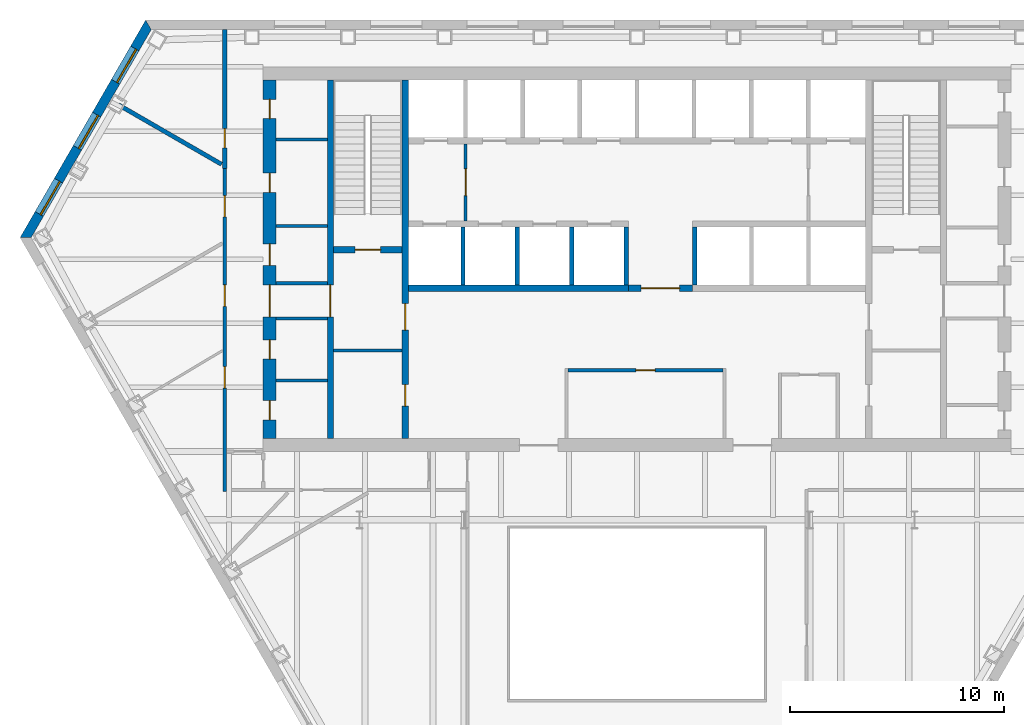
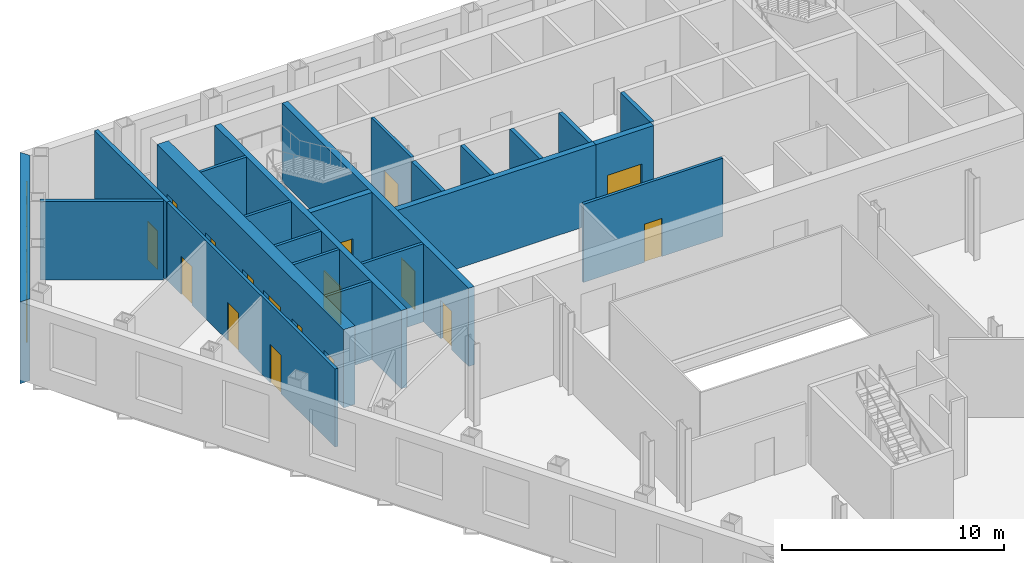
# One storey, part 6 of 11: 23 walls, 17 doors, 3 windows, 20 openings.
"""IFC4 building model written with IfcOpenShell, lengths in metres."""

from ifc_helpers import new_model, si_unit, direction, frame, frame_2d, origin, place, context, subcontext, project, spatial, polyline, rectangle, outline, extrude, material, layer, layer_set, type_object, element, fill, save


model = new_model("IFC4")

# Units and contexts
model_context = context("Model", 3, precision=1e-05, world=origin(), true_north=direction((0.0, 1.0)))
body_context = subcontext(model_context, "Body", "Model", "MODEL_VIEW")
ifc_project = project(units=[si_unit("LENGTHUNIT", "METRE"), si_unit("AREAUNIT", "SQUARE_METRE"), si_unit("VOLUMEUNIT", "CUBIC_METRE"), si_unit("PLANEANGLEUNIT", "RADIAN"), si_unit("MASSUNIT", "GRAM", prefix="KILO")], contexts=[model_context])

# Site, building, storey
site_placement = place(None, origin())
site = spatial("IfcSite", under=ifc_project, at=site_placement, CompositionType="ELEMENT")
building_placement = place(site_placement, origin())
building = spatial("IfcBuilding", under=site, at=building_placement, Name="Njiva Tower", CompositionType="ELEMENT")
storey_placement = place(building_placement, frame((0.0, 0.0, 33.3)))
storey = spatial("IfcBuildingStorey", under=building, at=storey_placement, Name="L06", CompositionType="ELEMENT", Elevation=33.3)

# Walls
ifc_material_1 = material(Name="Blockwork", Category="masonry")
ifc_layer_1 = layer(ifc_material_1, 0.15)
ifc_layer_set_1 = layer_set([ifc_layer_1], Name="Blockwork")
wall_type_1 = type_object("IfcWallType", Name="WT1 Compartment partition 150", PredefinedType="PARTITIONING", material=ifc_layer_set_1)
wall_1_placement = place(storey_placement, frame((-14.2, 4.725, 0.0), z_axis=(0.0, 0.0, 1.0), x_axis=(1.0, 0.0, 0.0)))
element("IfcWall", 1, at=wall_1_placement, inside=storey, type_object=wall_type_1, Name="Room wall A", PredefinedType="PARTITIONING", context=body_context, shape_type="SweptSolid", body=[
    extrude(rectangle(XDim=3.2, YDim=0.15, at=frame_2d((1.6, 0.0))), origin(), (0.0, 0.0, 1.0), 4.3),
])
for number, where, z_axis, x_axis, name in (
    (2, (-16.9, 3.3241, 0.0), (0.0, 0.0, 1.0), (1.0, 0.0, 0.0), "Partition strip W00"),
    (3, (-16.9, 10.5559, 0.0), (0.0, 0.0, 1.0), (1.0, 0.0, 0.0), "Partition strip W10"),
):
    element("IfcWall", number, at=place(storey_placement, frame(where, z_axis=z_axis, x_axis=x_axis)), inside=storey, type_object=wall_type_1, Name=name, PredefinedType="PARTITIONING", context=body_context, shape_type="SweptSolid", body=[
        extrude(rectangle(XDim=2.4, YDim=0.15, at=frame_2d((1.2, 0.0))), origin(), (0.0, 0.0, 1.0), 4.3),
    ])

# Wall, opening, door
wall_2_placement = place(storey_placement, frame((-3.225, 3.8, 0.0), z_axis=(0.0, 0.0, 1.0), x_axis=(1.0, 0.0, 0.0)))
wall_2 = element("IfcWall", 4, at=wall_2_placement, inside=storey, type_object=wall_type_1, Name="Information office wall north", PredefinedType="PARTITIONING", context=body_context, shape_type="SweptSolid", body=[
    extrude(rectangle(XDim=7.25, YDim=0.15, at=frame_2d((3.625, 0.0))), origin(), (0.0, 0.0, 1.0), 4.3),
])
opening_1_placement = place(wall_2_placement, frame((3.175, 0.0, 0.0)))
opening_1 = element("IfcOpeningElement", 5, at=opening_1_placement, cuts=wall_2, Name="Opening S02-D934", PredefinedType="OPENING", context=body_context, shape_type="SweptSolid", body=[
    extrude(rectangle(XDim=0.9, YDim=2.1, at=frame_2d((0.45, 1.05))), frame((0.0, 0.085, 0.0), z_axis=(0.0, -1.0, 0.0), x_axis=(1.0, 0.0, 0.0)), (0.0, 0.0, 1.0), 0.17),
])
ifc_material_2 = material(Name="Steel fire door, painted", Category="steel")
door_type_1 = type_object("IfcDoorType", Name="D6 Fire-rated door 900x2100", OperationType="SINGLE_SWING_LEFT", PredefinedType="DOOR", material=ifc_material_2)
door_1_placement = place(opening_1_placement, origin())
door_1 = element("IfcDoor", 6, at=door_1_placement, inside=storey, type_object=door_type_1, Name="Information office door", OperationType="SINGLE_SWING_LEFT", OverallHeight=2.1, OverallWidth=0.9, PredefinedType="DOOR", context=body_context, shape_type="SweptSolid", body=[
    extrude(rectangle(XDim=0.9, YDim=2.1, at=frame_2d((0.45, 1.05))), frame((0.0, 0.025, 0.0), z_axis=(0.0, -1.0, 0.0), x_axis=(1.0, 0.0, 0.0)), (0.0, 0.0, 1.0), 0.05),
])
fill(opening_1, door_1)

# Wall, openings, doors
ifc_material_3 = material(Name="Concrete C40/50", Category="concrete")
ifc_layer_2 = layer(ifc_material_3, 0.3)
ifc_layer_set_2 = layer_set([ifc_layer_2], Name="Concrete C40/50")
wall_type_2 = type_object("IfcWallType", Name="WT10 Stair enclosure wall 300", PredefinedType="SHEAR", material=ifc_layer_set_2)
wall_3_placement = place(storey_placement, frame((-10.85, 0.6, 0.0), z_axis=(0.0, 0.0, 1.0), x_axis=(0.0, 1.0, 0.0)))
wall_3 = element("IfcWall", 7, at=wall_3_placement, inside=storey, type_object=wall_type_2, Name="Stair wall west inner", PredefinedType="SHEAR", context=body_context, shape_type="SweptSolid", body=[
    extrude(rectangle(XDim=16.8, YDim=0.3, at=frame_2d((8.4, 0.0))), origin(), (0.0, 0.0, 1.0), 4.3),
])
opening_2_placement = place(wall_3_placement, frame((5.075, 0.0, 0.0)))
opening_2 = element("IfcOpeningElement", 8, at=opening_2_placement, cuts=wall_3, Name="Opening S02-D914", PredefinedType="OPENING", context=body_context, shape_type="SweptSolid", body=[
    extrude(rectangle(XDim=1.25, YDim=2.1, at=frame_2d((0.625, 1.05))), frame((0.0, 0.16, 0.0), z_axis=(0.0, -1.0, 0.0), x_axis=(1.0, 0.0, 0.0)), (0.0, 0.0, 1.0), 0.32),
])
opening_3_placement = place(wall_3_placement, frame((1.525, 0.0, 0.0)))
opening_3 = element("IfcOpeningElement", 9, at=opening_3_placement, cuts=wall_3, Name="Opening S02-D915", PredefinedType="OPENING", context=body_context, shape_type="SweptSolid", body=[
    extrude(rectangle(XDim=1.0, YDim=2.1, at=frame_2d((0.5, 1.05))), frame((0.0, 0.16, 0.0), z_axis=(0.0, -1.0, 0.0), x_axis=(1.0, 0.0, 0.0)), (0.0, 0.0, 1.0), 0.32),
])
ifc_material_4 = material(Name="Steel door, painted", Category="steel")
door_type_2 = type_object("IfcDoorType", Name="D5 Steel door 1000x2100", OperationType="SINGLE_SWING_LEFT", PredefinedType="DOOR", material=ifc_material_4)
door_2_placement = place(opening_3_placement, origin())
door_2 = element("IfcDoor", 10, at=door_2_placement, inside=storey, type_object=door_type_2, Name="Breakout room door", OperationType="SINGLE_SWING_RIGHT", OverallHeight=2.1, OverallWidth=1.0, PredefinedType="DOOR", context=body_context, shape_type="SweptSolid", body=[
    extrude(rectangle(XDim=1.0, YDim=2.1, at=frame_2d((0.5, 1.05))), frame((0.0, 0.025, 0.0), z_axis=(0.0, -1.0, 0.0), x_axis=(1.0, 0.0, 0.0)), (0.0, 0.0, 1.0), 0.05),
])
fill(opening_3, door_2)
ifc_material_5 = material(Name="Glazed steel fire door", Category="steel")
door_type_3 = type_object("IfcDoorType", Name="D8 Vestibule corridor door 1250x2100 glazed", OperationType="SINGLE_SWING_LEFT", PredefinedType="DOOR", material=ifc_material_5)
door_3_placement = place(opening_2_placement, origin())
door_3 = element("IfcDoor", 11, at=door_3_placement, inside=storey, type_object=door_type_3, Name="Stair vestibule corridor door", OperationType="SINGLE_SWING_LEFT", OverallHeight=2.1, OverallWidth=1.25, PredefinedType="DOOR", context=body_context, shape_type="SweptSolid", body=[
    extrude(rectangle(XDim=1.25, YDim=2.1, at=frame_2d((0.625, 1.05))), frame((0.0, 0.025, 0.0), z_axis=(0.0, -1.0, 0.0), x_axis=(1.0, 0.0, 0.0)), (0.0, 0.0, 1.0), 0.05),
])
fill(opening_2, door_3)

# Wall, opening, door
wall_4_placement = place(storey_placement, frame((-14.35, 0.6, 0.0), z_axis=(0.0, 0.0, 1.0), x_axis=(0.0, 1.0, 0.0)))
wall_4 = element("IfcWall", 12, at=wall_4_placement, inside=storey, type_object=wall_type_2, Name="Stair wall west outer", PredefinedType="SHEAR", context=body_context, shape_type="SweptSolid", body=[
    extrude(rectangle(XDim=16.8, YDim=0.3, at=frame_2d((8.4, 0.0))), origin(), (0.0, 0.0, 1.0), 4.3),
])
opening_4_placement = place(wall_4_placement, frame((5.7, 0.0, 0.0)))
opening_4 = element("IfcOpeningElement", 13, at=opening_4_placement, cuts=wall_4, Name="Opening S02-D920", PredefinedType="OPENING", context=body_context, shape_type="SweptSolid", body=[
    extrude(rectangle(XDim=1.5, YDim=2.1, at=frame_2d((0.75, 1.05))), frame((0.0, 0.16, 0.0), z_axis=(0.0, -1.0, 0.0), x_axis=(1.0, 0.0, 0.0)), (0.0, 0.0, 1.0), 0.32),
])
door_type_4 = type_object("IfcDoorType", Name="D10 Exit door double 1500x2100 glazed", OperationType="DOUBLE_DOOR_SINGLE_SWING", PredefinedType="DOOR", material=ifc_material_5)
door_4_placement = place(opening_4_placement, origin())
door_4 = element("IfcDoor", 14, at=door_4_placement, inside=storey, type_object=door_type_4, Name="Stair A passage door", OperationType="DOUBLE_DOOR_SINGLE_SWING", OverallHeight=2.1, OverallWidth=1.5, PredefinedType="DOOR", context=body_context, shape_type="SweptSolid", body=[
    extrude(rectangle(XDim=1.5, YDim=2.1, at=frame_2d((0.75, 1.05))), frame((0.0, 0.025, 0.0), z_axis=(0.0, -1.0, 0.0), x_axis=(1.0, 0.0, 0.0)), (0.0, 0.0, 1.0), 0.05),
])
fill(opening_4, door_4)

wall_5_placement = place(storey_placement, frame((-14.2, 9.45, 0.0), z_axis=(0.0, 0.0, 1.0), x_axis=(1.0, 0.0, 0.0)))
wall_5 = element("IfcWall", 15, at=wall_5_placement, inside=storey, type_object=wall_type_2, Name="Stair A south wall", PredefinedType="SHEAR", context=body_context, shape_type="SweptSolid", body=[
    extrude(rectangle(XDim=3.2, YDim=0.3, at=frame_2d((1.6, 0.0))), origin(), (0.0, 0.0, 1.0), 4.3),
])
opening_5_placement = place(wall_5_placement, frame((1.0, 0.0, 0.0)))
opening_5 = element("IfcOpeningElement", 16, at=opening_5_placement, cuts=wall_5, Name="Opening S02-D913", PredefinedType="OPENING", context=body_context, shape_type="SweptSolid", body=[
    extrude(rectangle(XDim=1.2, YDim=2.1, at=frame_2d((0.6, 1.05))), frame((0.0, 0.16, 0.0), z_axis=(0.0, -1.0, 0.0), x_axis=(1.0, 0.0, 0.0)), (0.0, 0.0, 1.0), 0.32),
])
door_type_5 = type_object("IfcDoorType", Name="D7 Stair vestibule door 1200x2100 glazed", OperationType="SINGLE_SWING_LEFT", PredefinedType="DOOR", material=ifc_material_5)
door_5_placement = place(opening_5_placement, origin())
door_5 = element("IfcDoor", 17, at=door_5_placement, inside=storey, type_object=door_type_5, Name="Stair A door", OperationType="SINGLE_SWING_LEFT", OverallHeight=2.1, OverallWidth=1.2, PredefinedType="DOOR", context=body_context, shape_type="SweptSolid", body=[
    extrude(rectangle(XDim=1.2, YDim=2.1, at=frame_2d((0.6, 1.05))), frame((0.0, 0.025, 0.0), z_axis=(0.0, -1.0, 0.0), x_axis=(1.0, 0.0, 0.0)), (0.0, 0.0, 1.0), 0.05),
])
fill(opening_5, door_5)

# Wall, openings, doors
ifc_material_6 = material(Name="Concrete C60/75", Category="concrete")
ifc_layer_3 = layer(ifc_material_6, 0.6)
ifc_layer_set_3 = layer_set([ifc_layer_3], Name="Concrete C60/75")
wall_type_3 = type_object("IfcWallType", Name="WT15 Core wall 600", PredefinedType="SHEAR", material=ifc_layer_set_3)
wall_6_placement = place(storey_placement, frame((-17.2, 0.6, 0.0), z_axis=(0.0, 0.0, 1.0), x_axis=(0.0, 1.0, 0.0)))
wall_6 = element("IfcWall", 18, at=wall_6_placement, inside=storey, type_object=wall_type_3, Name="Core wall west", PredefinedType="SHEAR", context=body_context, shape_type="SweptSolid", body=[
    extrude(rectangle(XDim=16.8, YDim=0.6, at=frame_2d((8.4, 0.0))), origin(), (0.0, 0.0, 1.0), 4.3),
])
opening_6_placement = place(wall_6_placement, frame((5.7, 0.0, 0.0)))
opening_6 = element("IfcOpeningElement", 19, at=opening_6_placement, cuts=wall_6, Name="Opening S02-D921", PredefinedType="OPENING", context=body_context, shape_type="SweptSolid", body=[
    extrude(rectangle(XDim=1.5, YDim=2.1, at=frame_2d((0.75, 1.05))), frame((0.0, 0.31, 0.0), z_axis=(0.0, -1.0, 0.0), x_axis=(1.0, 0.0, 0.0)), (0.0, 0.0, 1.0), 0.62),
])
opening_7_placement = place(wall_6_placement, frame((0.8745, 0.0, 0.0)))
opening_7 = element("IfcOpeningElement", 20, at=opening_7_placement, cuts=wall_6, Name="Opening S02-D922", PredefinedType="OPENING", context=body_context, shape_type="SweptSolid", body=[
    extrude(rectangle(XDim=0.9, YDim=2.1, at=frame_2d((0.45, 1.05))), frame((0.0, 0.31, 0.0), z_axis=(0.0, -1.0, 0.0), x_axis=(1.0, 0.0, 0.0)), (0.0, 0.0, 1.0), 0.62),
])
opening_8_placement = place(wall_6_placement, frame((3.7245, 0.0, 0.0)))
opening_8 = element("IfcOpeningElement", 21, at=opening_8_placement, cuts=wall_6, Name="Opening S02-D923", PredefinedType="OPENING", context=body_context, shape_type="SweptSolid", body=[
    extrude(rectangle(XDim=0.9, YDim=2.1, at=frame_2d((0.45, 1.05))), frame((0.0, 0.31, 0.0), z_axis=(0.0, -1.0, 0.0), x_axis=(1.0, 0.0, 0.0)), (0.0, 0.0, 1.0), 0.62),
])
opening_9_placement = place(wall_6_placement, frame((8.1154, 0.0, 0.0)))
opening_9 = element("IfcOpeningElement", 22, at=opening_9_placement, cuts=wall_6, Name="Opening S02-D924", PredefinedType="OPENING", context=body_context, shape_type="SweptSolid", body=[
    extrude(rectangle(XDim=1.0, YDim=2.1, at=frame_2d((0.5, 1.05))), frame((0.0, 0.31, 0.0), z_axis=(0.0, -1.0, 0.0), x_axis=(1.0, 0.0, 0.0)), (0.0, 0.0, 1.0), 0.62),
])
opening_10_placement = place(wall_6_placement, frame((11.5277, 0.0, 0.0)))
opening_10 = element("IfcOpeningElement", 23, at=opening_10_placement, cuts=wall_6, Name="Opening S02-D925", PredefinedType="OPENING", context=body_context, shape_type="SweptSolid", body=[
    extrude(rectangle(XDim=0.9, YDim=2.1, at=frame_2d((0.45, 1.05))), frame((0.0, 0.31, 0.0), z_axis=(0.0, -1.0, 0.0), x_axis=(1.0, 0.0, 0.0)), (0.0, 0.0, 1.0), 0.62),
])
opening_11_placement = place(wall_6_placement, frame((14.9872, 0.0, 0.0)))
opening_11 = element("IfcOpeningElement", 24, at=opening_11_placement, cuts=wall_6, Name="Opening S02-D926", PredefinedType="OPENING", context=body_context, shape_type="SweptSolid", body=[
    extrude(rectangle(XDim=0.9, YDim=2.1, at=frame_2d((0.45, 1.05))), frame((0.0, 0.31, 0.0), z_axis=(0.0, -1.0, 0.0), x_axis=(1.0, 0.0, 0.0)), (0.0, 0.0, 1.0), 0.62),
])
door_6_placement = place(opening_6_placement, origin())
door_6 = element("IfcDoor", 25, at=door_6_placement, inside=storey, type_object=door_type_4, Name="Stair A corridor door", OperationType="DOUBLE_DOOR_SINGLE_SWING", OverallHeight=2.1, OverallWidth=1.5, PredefinedType="DOOR", context=body_context, shape_type="SweptSolid", body=[
    extrude(rectangle(XDim=1.5, YDim=2.1, at=frame_2d((0.75, 1.05))), frame((0.0, 0.025, 0.0), z_axis=(0.0, -1.0, 0.0), x_axis=(1.0, 0.0, 0.0)), (0.0, 0.0, 1.0), 0.05),
])
fill(opening_6, door_6)
door_type_6 = type_object("IfcDoorType", Name="D4 Riser door 900x2100", OperationType="SINGLE_SWING_LEFT", PredefinedType="DOOR", material=ifc_material_4)
door_7_placement = place(opening_11_placement, origin())
door_7 = element("IfcDoor", 26, at=door_7_placement, inside=storey, type_object=door_type_6, Name="Riser door", OperationType="SINGLE_SWING_LEFT", OverallHeight=2.1, OverallWidth=0.9, PredefinedType="DOOR", context=body_context, shape_type="SweptSolid", body=[
    extrude(rectangle(XDim=0.9, YDim=2.1, at=frame_2d((0.45, 1.05))), frame((0.0, 0.025, 0.0), z_axis=(0.0, -1.0, 0.0), x_axis=(1.0, 0.0, 0.0)), (0.0, 0.0, 1.0), 0.05),
])
fill(opening_11, door_7)
door_8_placement = place(opening_9_placement, origin())
door_8 = element("IfcDoor", 27, at=door_8_placement, inside=storey, type_object=door_type_2, Name="Telecoms room door", OperationType="SINGLE_SWING_RIGHT", OverallHeight=2.1, OverallWidth=1.0, PredefinedType="DOOR", context=body_context, shape_type="SweptSolid", body=[
    extrude(rectangle(XDim=1.0, YDim=2.1, at=frame_2d((0.5, 1.05))), frame((0.0, 0.025, 0.0), z_axis=(0.0, -1.0, 0.0), x_axis=(1.0, 0.0, 0.0)), (0.0, 0.0, 1.0), 0.05),
])
fill(opening_9, door_8)
door_9_placement = place(opening_7_placement, origin())
door_9 = element("IfcDoor", 28, at=door_9_placement, inside=storey, type_object=door_type_1, Name="Meeting room door", OperationType="SINGLE_SWING_LEFT", OverallHeight=2.1, OverallWidth=0.9, PredefinedType="DOOR", context=body_context, shape_type="SweptSolid", body=[
    extrude(rectangle(XDim=0.9, YDim=2.1, at=frame_2d((0.45, 1.05))), frame((0.0, 0.025, 0.0), z_axis=(0.0, -1.0, 0.0), x_axis=(1.0, 0.0, 0.0)), (0.0, 0.0, 1.0), 0.05),
])
fill(opening_7, door_9)
door_10_placement = place(opening_8_placement, origin())
door_10 = element("IfcDoor", 29, at=door_10_placement, inside=storey, type_object=door_type_1, Name="Breakout room door", OperationType="SINGLE_SWING_LEFT", OverallHeight=2.1, OverallWidth=0.9, PredefinedType="DOOR", context=body_context, shape_type="SweptSolid", body=[
    extrude(rectangle(XDim=0.9, YDim=2.1, at=frame_2d((0.45, 1.05))), frame((0.0, 0.025, 0.0), z_axis=(0.0, -1.0, 0.0), x_axis=(1.0, 0.0, 0.0)), (0.0, 0.0, 1.0), 0.05),
])
fill(opening_8, door_10)
door_11_placement = place(opening_10_placement, origin())
door_11 = element("IfcDoor", 30, at=door_11_placement, inside=storey, type_object=door_type_1, Name="Quiet room door", OperationType="SINGLE_SWING_RIGHT", OverallHeight=2.1, OverallWidth=0.9, PredefinedType="DOOR", context=body_context, shape_type="SweptSolid", body=[
    extrude(rectangle(XDim=0.9, YDim=2.1, at=frame_2d((0.45, 1.05))), frame((0.0, 0.025, 0.0), z_axis=(0.0, -1.0, 0.0), x_axis=(1.0, 0.0, 0.0)), (0.0, 0.0, 1.0), 0.05),
])
fill(opening_10, door_11)

# Wall, opening, door
ifc_layer_4 = layer(ifc_material_1, 0.15)
ifc_layer_set_4 = layer_set([ifc_layer_4], Name="Blockwork")
wall_type_4 = type_object("IfcWallType", Name="WT2 Lobby partition 150", PredefinedType="PARTITIONING", material=ifc_layer_set_4)
wall_7_placement = place(storey_placement, frame((-8.025, 10.8, 0.0), z_axis=(0.0, 0.0, 1.0), x_axis=(0.0, 1.0, 0.0)))
wall_7 = element("IfcWall", 31, at=wall_7_placement, inside=storey, type_object=wall_type_4, Name="Firefighting lobby wall A", PredefinedType="PARTITIONING", context=body_context, shape_type="SweptSolid", body=[
    extrude(rectangle(XDim=3.6, YDim=0.15, at=frame_2d((1.8, 0.0))), origin(), (0.0, 0.0, 1.0), 4.3),
])
opening_12_placement = place(wall_7_placement, frame((1.175, 0.0, 0.0)))
opening_12 = element("IfcOpeningElement", 32, at=opening_12_placement, cuts=wall_7, Name="Opening S02-D912", PredefinedType="OPENING", context=body_context, shape_type="SweptSolid", body=[
    extrude(rectangle(XDim=1.25, YDim=2.1, at=frame_2d((0.625, 1.05))), frame((0.0, 0.085, 0.0), z_axis=(0.0, -1.0, 0.0), x_axis=(1.0, 0.0, 0.0)), (0.0, 0.0, 1.0), 0.17),
])
door_12_placement = place(opening_12_placement, origin())
door_12 = element("IfcDoor", 33, at=door_12_placement, inside=storey, type_object=door_type_3, Name="Stair vestibule corridor door", OperationType="SINGLE_SWING_RIGHT", OverallHeight=2.1, OverallWidth=1.25, PredefinedType="DOOR", context=body_context, shape_type="SweptSolid", body=[
    extrude(rectangle(XDim=1.25, YDim=2.1, at=frame_2d((0.625, 1.05))), frame((0.0, 0.025, 0.0), z_axis=(0.0, -1.0, 0.0), x_axis=(1.0, 0.0, 0.0)), (0.0, 0.0, 1.0), 0.05),
])
fill(opening_12, door_12)

# Wall, openings, doors
ifc_material_7 = material(Name="Gypsum board on steel studs", Category="gypsum")
ifc_layer_5 = layer(ifc_material_7, 0.15)
ifc_layer_set_5 = layer_set([ifc_layer_5], Name="Gypsum board on steel studs")
wall_type_5 = type_object("IfcWallType", Name="WT21 Compartment wall 150", PredefinedType="PARTITIONING", material=ifc_layer_set_5)
wall_8_placement = place(storey_placement, frame((-19.3, -1.875, 0.0), z_axis=(0.0, 0.0, 1.0), x_axis=(0.0, 1.0, 0.0)))
wall_8 = element("IfcWall", 34, at=wall_8_placement, inside=storey, type_object=wall_type_5, Name="Partition S02-P005", PredefinedType="PARTITIONING", context=body_context, shape_type="SweptSolid", body=[
    extrude(rectangle(XDim=15.133, YDim=0.15, at=frame_2d((7.5665, 0.0))), origin(), (0.0, 0.0, 1.0), 4.3),
])
opening_13_placement = place(wall_8_placement, frame((4.842, 0.0, 0.0)))
opening_13 = element("IfcOpeningElement", 35, at=opening_13_placement, cuts=wall_8, Name="Opening S02-D001", PredefinedType="OPENING", context=body_context, shape_type="SweptSolid", body=[
    extrude(rectangle(XDim=1.0, YDim=2.1, at=frame_2d((0.5, 1.05))), frame((0.0, 0.085, 0.0), z_axis=(0.0, -1.0, 0.0), x_axis=(1.0, 0.0, 0.0)), (0.0, 0.0, 1.0), 0.17),
])
opening_14_placement = place(wall_8_placement, frame((8.671, 0.0, 0.0)))
opening_14 = element("IfcOpeningElement", 36, at=opening_14_placement, cuts=wall_8, Name="Opening S02-D002", PredefinedType="OPENING", context=body_context, shape_type="SweptSolid", body=[
    extrude(rectangle(XDim=1.0, YDim=2.1, at=frame_2d((0.5, 1.05))), frame((0.0, 0.085, 0.0), z_axis=(0.0, -1.0, 0.0), x_axis=(1.0, 0.0, 0.0)), (0.0, 0.0, 1.0), 0.17),
])
opening_15_placement = place(wall_8_placement, frame((12.857, 0.0, 0.0)))
opening_15 = element("IfcOpeningElement", 37, at=opening_15_placement, cuts=wall_8, Name="Opening S02-D003", PredefinedType="OPENING", context=body_context, shape_type="SweptSolid", body=[
    extrude(rectangle(XDim=1.0, YDim=2.1, at=frame_2d((0.5, 1.05))), frame((0.0, 0.085, 0.0), z_axis=(0.0, -1.0, 0.0), x_axis=(1.0, 0.0, 0.0)), (0.0, 0.0, 1.0), 0.17),
])
ifc_material_8 = material(Name="Steel fire door set", Category="steel")
door_type_7 = type_object("IfcDoorType", Name="D37 Fire door 1000x2100", OperationType="SINGLE_SWING_LEFT", PredefinedType="DOOR", material=ifc_material_8)
door_13_placement = place(opening_13_placement, origin())
door_13 = element("IfcDoor", 38, at=door_13_placement, inside=storey, type_object=door_type_7, Name="Door S02-D001", OperationType="SINGLE_SWING_RIGHT", OverallHeight=2.1, OverallWidth=1.0, PredefinedType="DOOR", context=body_context, shape_type="SweptSolid", body=[
    extrude(rectangle(XDim=1.0, YDim=2.1, at=frame_2d((0.5, 1.05))), frame((0.0, 0.025, 0.0), z_axis=(0.0, -1.0, 0.0), x_axis=(1.0, 0.0, 0.0)), (0.0, 0.0, 1.0), 0.05),
])
fill(opening_13, door_13)
door_14_placement = place(opening_14_placement, origin())
door_14 = element("IfcDoor", 39, at=door_14_placement, inside=storey, type_object=door_type_7, Name="Door S02-D002", OperationType="SINGLE_SWING_LEFT", OverallHeight=2.1, OverallWidth=1.0, PredefinedType="DOOR", context=body_context, shape_type="SweptSolid", body=[
    extrude(rectangle(XDim=1.0, YDim=2.1, at=frame_2d((0.5, 1.05))), frame((0.0, 0.025, 0.0), z_axis=(0.0, -1.0, 0.0), x_axis=(1.0, 0.0, 0.0)), (0.0, 0.0, 1.0), 0.05),
])
fill(opening_14, door_14)
door_15_placement = place(opening_15_placement, origin())
door_15 = element("IfcDoor", 40, at=door_15_placement, inside=storey, type_object=door_type_7, Name="Door S02-D003", OperationType="SINGLE_SWING_LEFT", OverallHeight=2.1, OverallWidth=1.0, PredefinedType="DOOR", context=body_context, shape_type="SweptSolid", body=[
    extrude(rectangle(XDim=1.0, YDim=2.1, at=frame_2d((0.5, 1.05))), frame((0.0, 0.025, 0.0), z_axis=(0.0, -1.0, 0.0), x_axis=(1.0, 0.0, 0.0)), (0.0, 0.0, 1.0), 0.05),
])
fill(opening_15, door_15)

# Wall
ifc_layer_6 = layer(ifc_material_1, 0.2)
ifc_layer_set_6 = layer_set([ifc_layer_6], Name="Blockwork")
wall_type_6 = type_object("IfcWallType", Name="WT22 Plant room wall 200", PredefinedType="PARTITIONING", material=ifc_layer_set_6)
wall_9_placement = place(storey_placement, frame((-24.263, 16.222, 0.0), z_axis=(0.0, 0.0, 1.0), x_axis=(0.86616461284, -0.499758805289, 0.0)))
element("IfcWall", 41, at=wall_9_placement, inside=storey, type_object=wall_type_6, Name="Partition S02-P002", PredefinedType="PARTITIONING", context=body_context, shape_type="SweptSolid", body=[
    extrude(rectangle(XDim=5.5567, YDim=0.2, at=frame_2d((2.7784, 0.0))), origin(), (0.0, 0.0, 1.0), 4.3),
])

# Wall, opening, door
wall_10_placement = place(storey_placement, frame((-19.3, 13.258, 0.0), z_axis=(0.0, 0.0, 1.0), x_axis=(0.0, 1.0, 0.0)))
wall_10 = element("IfcWall", 42, at=wall_10_placement, inside=storey, type_object=wall_type_6, Name="Partition S02-P006", PredefinedType="PARTITIONING", context=body_context, shape_type="SweptSolid", body=[
    extrude(rectangle(XDim=6.491, YDim=0.2, at=frame_2d((3.2455, 0.0))), origin(), (0.0, 0.0, 1.0), 4.3),
])
opening_16_placement = place(wall_10_placement, frame((0.955, 0.0, 0.0)))
opening_16 = element("IfcOpeningElement", 43, at=opening_16_placement, cuts=wall_10, Name="Opening S02-D004", PredefinedType="OPENING", context=body_context, shape_type="SweptSolid", body=[
    extrude(rectangle(XDim=0.9, YDim=2.1, at=frame_2d((0.45, 1.05))), frame((0.0, 0.11, 0.0), z_axis=(0.0, -1.0, 0.0), x_axis=(1.0, 0.0, 0.0)), (0.0, 0.0, 1.0), 0.22),
])
door_type_8 = type_object("IfcDoorType", Name="D36 Fire door 900x2100", OperationType="SINGLE_SWING_LEFT", PredefinedType="DOOR", material=ifc_material_8)
door_16_placement = place(opening_16_placement, origin())
door_16 = element("IfcDoor", 44, at=door_16_placement, inside=storey, type_object=door_type_8, Name="Door S02-D004", OperationType="SINGLE_SWING_RIGHT", OverallHeight=2.1, OverallWidth=0.9, PredefinedType="DOOR", context=body_context, shape_type="SweptSolid", body=[
    extrude(rectangle(XDim=0.9, YDim=2.1, at=frame_2d((0.45, 1.05))), frame((0.0, 0.025, 0.0), z_axis=(0.0, -1.0, 0.0), x_axis=(1.0, 0.0, 0.0)), (0.0, 0.0, 1.0), 0.05),
])
fill(opening_16, door_16)

# Walls
ifc_layer_7 = layer(ifc_material_1, 0.15)
ifc_layer_set_7 = layer_set([ifc_layer_7], Name="Blockwork")
wall_type_7 = type_object("IfcWallType", Name="WT3 Riser partition 150", PredefinedType="PARTITIONING", material=ifc_layer_set_7)
wall_11_placement = place(storey_placement, frame((-16.9, 14.5995, 0.0), z_axis=(0.0, 0.0, 1.0), x_axis=(1.0, 0.0, 0.0)))
element("IfcWall", 45, at=wall_11_placement, inside=storey, type_object=wall_type_7, Name="Partition strip W11", PredefinedType="PARTITIONING", context=body_context, shape_type="SweptSolid", body=[
    extrude(rectangle(XDim=2.4, YDim=0.15, at=frame_2d((1.2, 0.0))), origin(), (0.0, 0.0, 1.0), 4.3),
])
ifc_layer_8 = layer(ifc_material_1, 0.15)
ifc_layer_set_8 = layer_set([ifc_layer_8], Name="Blockwork")
wall_type_8 = type_object("IfcWallType", Name="WT4 Stair partition 150", PredefinedType="PARTITIONING", material=ifc_layer_set_8)
for number, where, z_axis, x_axis, name in (
    (46, (-16.9, 6.225, 0.0), (0.0, 0.0, 1.0), (1.0, 0.0, 0.0), "Stair A exit passage wall south"),
    (47, (-16.9, 7.875, 0.0), (0.0, 0.0, 1.0), (1.0, 0.0, 0.0), "Stair A exit passage wall north"),
):
    element("IfcWall", number, at=place(storey_placement, frame(where, z_axis=z_axis, x_axis=x_axis)), inside=storey, type_object=wall_type_8, Name=name, PredefinedType="PARTITIONING", context=body_context, shape_type="SweptSolid", body=[
        extrude(rectangle(XDim=2.4, YDim=0.15, at=frame_2d((1.2, 0.0))), origin(), (0.0, 0.0, 1.0), 4.3),
    ])

# Wall, opening, door
ifc_layer_9 = layer(ifc_material_1, 0.3)
ifc_layer_set_9 = layer_set([ifc_layer_9], Name="Blockwork")
wall_type_9 = type_object("IfcWallType", Name="WT5 Lobby partition 300", PredefinedType="PARTITIONING", material=ifc_layer_set_9)
wall_12_placement = place(storey_placement, frame((-0.4, 7.65, 0.0), z_axis=(0.0, 0.0, 1.0), x_axis=(1.0, 0.0, 0.0)))
wall_12 = element("IfcWall", 48, at=wall_12_placement, inside=storey, type_object=wall_type_9, Name="Lift lobby screen wall", PredefinedType="PARTITIONING", context=body_context, shape_type="SweptSolid", body=[
    extrude(rectangle(XDim=3.0, YDim=0.3, at=frame_2d((1.5, 0.0))), origin(), (0.0, 0.0, 1.0), 4.3),
])
opening_17_placement = place(wall_12_placement, frame((0.6, 0.0, 0.0)))
opening_17 = element("IfcOpeningElement", 49, at=opening_17_placement, cuts=wall_12, Name="Opening S02-D936", PredefinedType="OPENING", context=body_context, shape_type="SweptSolid", body=[
    extrude(rectangle(XDim=1.8, YDim=2.4, at=frame_2d((0.9, 1.2))), frame((0.0, 0.16, 0.0), z_axis=(0.0, -1.0, 0.0), x_axis=(1.0, 0.0, 0.0)), (0.0, 0.0, 1.0), 0.32),
])
ifc_material_9 = material(Name="Steel and glass door", Category="steel")
door_type_9 = type_object("IfcDoorType", Name="D3 Core entrance door 1800x2400", OperationType="DOUBLE_DOOR_SINGLE_SWING", PredefinedType="DOOR", material=ifc_material_9)
door_17_placement = place(opening_17_placement, origin())
door_17 = element("IfcDoor", 50, at=door_17_placement, inside=storey, type_object=door_type_9, Name="Core entrance door", OperationType="DOUBLE_DOOR_SINGLE_SWING", OverallHeight=2.4, OverallWidth=1.8, PredefinedType="DOOR", context=body_context, shape_type="SweptSolid", body=[
    extrude(rectangle(XDim=1.8, YDim=2.4, at=frame_2d((0.9, 1.2))), frame((0.0, 0.025, 0.0), z_axis=(0.0, -1.0, 0.0), x_axis=(1.0, 0.0, 0.0)), (0.0, 0.0, 1.0), 0.05),
])
fill(opening_17, door_17)

# Walls
ifc_layer_10 = layer(ifc_material_3, 0.2)
ifc_layer_set_10 = layer_set([ifc_layer_10], Name="Concrete C40/50")
wall_type_10 = type_object("IfcWallType", Name="WT6 Lift shaft wall 200", PredefinedType="SHEAR", material=ifc_layer_set_10)
for number, where, z_axis, x_axis, name in (
    (51, (-8.15, 7.8, 0.0), (0.0, 0.0, 1.0), (0.0, 1.0, 0.0), "Shaft wall CS1"),
    (52, (-5.6, 7.8, 0.0), (0.0, 0.0, 1.0), (0.0, 1.0, 0.0), "Shaft wall CS2"),
    (53, (-3.05, 7.8, 0.0), (0.0, 0.0, 1.0), (0.0, 1.0, 0.0), "Shaft wall CS3"),
    (54, (-0.5, 7.8, 0.0), (0.0, 0.0, 1.0), (0.0, 1.0, 0.0), "Shaft wall CS4"),
    (55, (2.7, 7.8, 0.0), (0.0, 0.0, 1.0), (0.0, 1.0, 0.0), "Shaft wall CS5"),
):
    element("IfcWall", number, at=place(storey_placement, frame(where, z_axis=z_axis, x_axis=x_axis)), inside=storey, type_object=wall_type_10, Name=name, PredefinedType="SHEAR", context=body_context, shape_type="SweptSolid", body=[
        extrude(rectangle(XDim=2.7, YDim=0.2, at=frame_2d((1.35, 0.0))), origin(), (0.0, 0.0, 1.0), 4.3),
    ])
ifc_layer_11 = layer(ifc_material_3, 0.3)
ifc_layer_set_11 = layer_set([ifc_layer_11], Name="Concrete C40/50")
wall_type_11 = type_object("IfcWallType", Name="WT7 Lift shaft wall 300", PredefinedType="SHEAR", material=ifc_layer_set_11)
wall_13_placement = place(storey_placement, frame((-10.7, 7.65, 0.0), z_axis=(0.0, 0.0, 1.0), x_axis=(1.0, 0.0, 0.0)))
element("IfcWall", 56, at=wall_13_placement, inside=storey, type_object=wall_type_11, Name="Shaft wall south row back W", PredefinedType="SHEAR", context=body_context, shape_type="SweptSolid", body=[
    extrude(rectangle(XDim=10.3, YDim=0.3, at=frame_2d((5.15, 0.0))), origin(), (0.0, 0.0, 1.0), 4.3),
])

# Wall, openings, windows
ifc_material_10 = material(Name="Brick masonry, buff", Category="masonry")
ifc_layer_12 = layer(ifc_material_10, 0.45)
ifc_layer_set_12 = layer_set([ifc_layer_12], Name="Brick masonry, buff")
wall_type_12 = type_object("IfcWallType", Name="WT94 Brick pier and spandrel wall 450, buff", PredefinedType="SOLIDWALL", material=ifc_layer_set_12)
wall_14_placement = place(storey_placement, frame((-22.8713, 19.9728, -0.4), z_axis=(0.0, 0.0, 1.0), x_axis=(-0.500002460556, -0.866023983177, 0.0)))
wall_14 = element("IfcWall", 57, at=wall_14_placement, inside=storey, type_object=wall_type_12, Name="Facade wall NW", PredefinedType="SOLIDWALL", context=body_context, shape_type="SweptSolid", body=[
    extrude(outline(polyline([(-0.1299, -0.225), (11.63, -0.225), (11.3702, 0.225), (0.1299, 0.225), (-0.1299, -0.225)])), origin(), (0.0, 0.0, 1.0), 4.5),
])
opening_18_placement = place(wall_14_placement, frame((1.2764, 0.0, 1.3)))
opening_18 = element("IfcOpeningElement", 58, at=opening_18_placement, cuts=wall_14, Name="Opening S02-W09", PredefinedType="OPENING", context=body_context, shape_type="SweptSolid", body=[
    extrude(rectangle(XDim=1.8, YDim=2.6, at=frame_2d((0.9, 1.3))), frame((0.0, 0.235, 0.0), z_axis=(0.0, -1.0, 0.0), x_axis=(1.0, 0.0, 0.0)), (0.0, 0.0, 1.0), 0.47),
])
opening_19_placement = place(wall_14_placement, frame((4.8501, 0.0, 1.3)))
opening_19 = element("IfcOpeningElement", 59, at=opening_19_placement, cuts=wall_14, Name="Opening S02-W10", PredefinedType="OPENING", context=body_context, shape_type="SweptSolid", body=[
    extrude(rectangle(XDim=1.8, YDim=2.6, at=frame_2d((0.9, 1.3))), frame((0.0, 0.235, 0.0), z_axis=(0.0, -1.0, 0.0), x_axis=(1.0, 0.0, 0.0)), (0.0, 0.0, 1.0), 0.47),
])
opening_20_placement = place(wall_14_placement, frame((8.4237, 0.0, 1.3)))
opening_20 = element("IfcOpeningElement", 60, at=opening_20_placement, cuts=wall_14, Name="Opening S02-W11", PredefinedType="OPENING", context=body_context, shape_type="SweptSolid", body=[
    extrude(rectangle(XDim=1.8, YDim=2.6, at=frame_2d((0.9, 1.3))), frame((0.0, 0.235, 0.0), z_axis=(0.0, -1.0, 0.0), x_axis=(1.0, 0.0, 0.0)), (0.0, 0.0, 1.0), 0.47),
])
ifc_material_11 = material(Name="Clear glazing in aluminium frame", Category="aluminium")
window_type = type_object("IfcWindowType", Name="W96 Deep-set window 1800x2600", PartitioningType="SINGLE_PANEL", PredefinedType="WINDOW", material=ifc_material_11)
window_1_placement = place(opening_18_placement, origin())
window_1 = element("IfcWindow", 61, at=window_1_placement, inside=storey, type_object=window_type, Name="Window", OverallHeight=2.6, OverallWidth=1.8, PartitioningType="SINGLE_PANEL", PredefinedType="WINDOW", context=body_context, shape_type="SweptSolid", body=[
    extrude(rectangle(XDim=1.8, YDim=2.6, at=frame_2d((0.9, 1.3))), frame((0.0, 0.105, 0.0), z_axis=(0.0, -1.0, 0.0), x_axis=(1.0, 0.0, 0.0)), (0.0, 0.0, 1.0), 0.06),
])
fill(opening_18, window_1)
window_2_placement = place(opening_19_placement, origin())
window_2 = element("IfcWindow", 62, at=window_2_placement, inside=storey, type_object=window_type, Name="Window", OverallHeight=2.6, OverallWidth=1.8, PartitioningType="SINGLE_PANEL", PredefinedType="WINDOW", context=body_context, shape_type="SweptSolid", body=[
    extrude(rectangle(XDim=1.8, YDim=2.6, at=frame_2d((0.9, 1.3))), frame((0.0, 0.105, 0.0), z_axis=(0.0, -1.0, 0.0), x_axis=(1.0, 0.0, 0.0)), (0.0, 0.0, 1.0), 0.06),
])
fill(opening_19, window_2)
window_3_placement = place(opening_20_placement, origin())
window_3 = element("IfcWindow", 63, at=window_3_placement, inside=storey, type_object=window_type, Name="Window", OverallHeight=2.6, OverallWidth=1.8, PartitioningType="SINGLE_PANEL", PredefinedType="WINDOW", context=body_context, shape_type="SweptSolid", body=[
    extrude(rectangle(XDim=1.8, YDim=2.6, at=frame_2d((0.9, 1.3))), frame((0.0, 0.105, 0.0), z_axis=(0.0, -1.0, 0.0), x_axis=(1.0, 0.0, 0.0)), (0.0, 0.0, 1.0), 0.06),
])
fill(opening_20, window_3)

save(model, "model.ifc")
